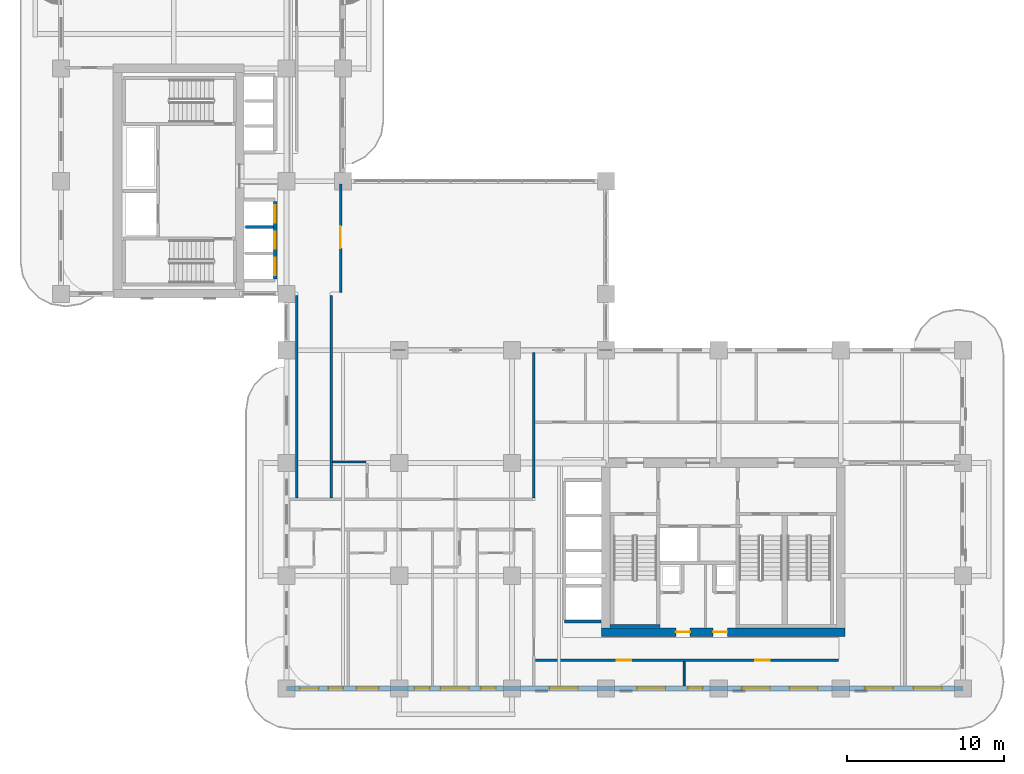
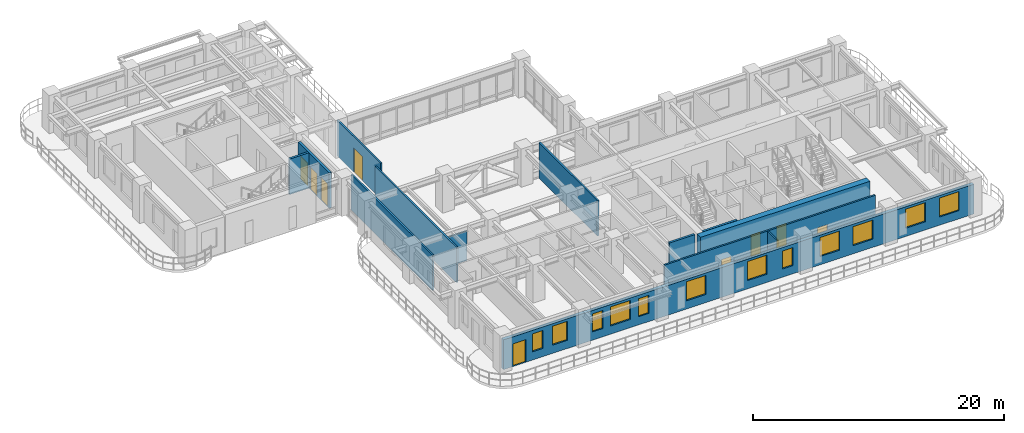
# One storey, part 12 of 21: 13 walls, 12 windows, 9 doors, 21 openings.
"""IFC4 building model written with IfcOpenShell, lengths in metres."""

from ifc_helpers import new_model, si_unit, derived_unit, direction, frame, frame_2d, origin, place, context, subcontext, project, spatial, rectangle, extrude, source, transform, mapped, material, layer, layer_set, type_object, type_shapes, element, fill, save


model = new_model("IFC4")

# Units and contexts
model_context = context("Model", 3, precision=1e-05, world=origin(), true_north=direction((0.0, 1.0)))
body_context = subcontext(model_context, "Body", "Model", "MODEL_VIEW")
ifc_project = project(units=[si_unit("LENGTHUNIT", "METRE"), si_unit("AREAUNIT", "SQUARE_METRE"), si_unit("VOLUMEUNIT", "CUBIC_METRE"), si_unit("PLANEANGLEUNIT", "RADIAN"), si_unit("MASSUNIT", "GRAM", prefix="KILO"), si_unit("THERMODYNAMICTEMPERATUREUNIT", "KELVIN"), si_unit("POWERUNIT", "WATT"), derived_unit("THERMALTRANSMITTANCEUNIT", [(si_unit("POWERUNIT", "WATT"), 1), (si_unit("AREAUNIT", "SQUARE_METRE"), -1), (si_unit("THERMODYNAMICTEMPERATUREUNIT", "KELVIN"), -1)])], contexts=[model_context])

# Site, building, storey
site_placement = place(None, origin())
site = spatial("IfcSite", under=ifc_project, at=site_placement, CompositionType="ELEMENT")
building_placement = place(site_placement, origin())
building = spatial("IfcBuilding", under=site, at=building_placement, Name="Zahravan Archway Hotel and Residences", CompositionType="ELEMENT")
storey_placement = place(building_placement, frame((0.0, 0.0, 69.39990234375)))
storey = spatial("IfcBuildingStorey", under=building, at=storey_placement, Name="L16", CompositionType="ELEMENT", Elevation=69.39990234375)

# Wall, openings, doors
ifc_material_1 = material(Name="Concrete C70/85", Category="concrete")
ifc_layer_1 = layer(ifc_material_1, 0.550048828125, Name="Concrete C70/85", Category="concrete")
ifc_layer_set_1 = layer_set([ifc_layer_1], Name="Concrete C70/85")
wall_type_1 = type_object("IfcWallType", Name="CW-CORE-550", PredefinedType="SHEAR", material=ifc_layer_set_1)
wall_1_placement = place(storey_placement, frame((34.52490234375, 3.60009765625, 0.0), z_axis=(0.0, 0.0, 1.0), x_axis=(1.0, 0.0, 0.0)))
wall_1 = element("IfcWall", 1, at=wall_1_placement, inside=storey, type_object=wall_type_1, Name="L16 Core A Shear S Wall 550 mm", PredefinedType="SHEAR", context=body_context, shape_type="SweptSolid", body=[
    extrude(rectangle(XDim=15.550048828125, YDim=0.550048828125, at=frame_2d((7.77490234375, 0.0))), origin(), (0.0, 0.0, 1.0), 3.7001953125),
])
opening_1_placement = place(wall_1_placement, frame((4.7451171875, 0.0, 0.0)))
opening_1 = element("IfcOpeningElement", 2, at=opening_1_placement, cuts=wall_1, Name="Opening FD-R1", PredefinedType="OPENING", context=body_context, shape_type="SweptSolid", body=[
    extrude(rectangle(XDim=0.89990234375, YDim=2.10009765625, at=frame_2d((0.449951171875, 1.050048828125))), frame((0.0, 0.28515625, 0.0), z_axis=(0.0, -1.0, 0.0), x_axis=(1.0, 0.0, 0.0)), (0.0, 0.0, 1.0), 0.570068359375),
])
opening_2_placement = place(wall_1_placement, frame((7.125, 0.0, 0.0)))
opening_2 = element("IfcOpeningElement", 3, at=opening_2_placement, cuts=wall_1, Name="Opening FD-R1", PredefinedType="OPENING", context=body_context, shape_type="SweptSolid", body=[
    extrude(rectangle(XDim=0.89990234375, YDim=2.10009765625, at=frame_2d((0.449951171875, 1.050048828125))), frame((0.0, 0.28515625, 0.0), z_axis=(0.0, -1.0, 0.0), x_axis=(1.0, 0.0, 0.0)), (0.0, 0.0, 1.0), 0.570068359375),
])
ifc_material_2 = material(Name="Fire-Rated Painted Steel", Category="steel")
door_type_1 = type_object("IfcDoorType", Name="FD-RISER-900", OperationType="NOTDEFINED", PredefinedType="DOOR", material=ifc_material_2)
shared_shape_1 = source(origin(), body_context, "Body", "SweptSolid", [
    extrude(rectangle(XDim=0.89990234375, YDim=2.10009765625, at=frame_2d((0.449951171875, 1.050048828125))), frame((0.0, 0.02490234375, 0.0), z_axis=(0.0, -1.0, 0.0), x_axis=(1.0, 0.0, 0.0)), (0.0, 0.0, 1.0), 0.050048828125),
])
type_shapes(door_type_1, [shared_shape_1])
door_1_placement = place(opening_1_placement, origin())
door_1 = element("IfcDoor", 4, at=door_1_placement, inside=storey, type_object=door_type_1, Name="L16 Fan Room Door", OperationType="SINGLE_SWING_RIGHT", OverallHeight=2.10009765625, OverallWidth=0.89990234375, PredefinedType="DOOR", context=body_context, shape_type="MappedRepresentation", body=[
    mapped(shared_shape_1, transform((0.0, 0.0, 0.0), scale=1.0)),
])
fill(opening_1, door_1)
door_2_placement = place(opening_2_placement, origin())
door_2 = element("IfcDoor", 5, at=door_2_placement, inside=storey, type_object=door_type_1, Name="L16 Sub-Meter Cupboard Door", OperationType="SINGLE_SWING_LEFT", OverallHeight=2.10009765625, OverallWidth=0.89990234375, PredefinedType="DOOR", context=body_context, shape_type="MappedRepresentation", body=[
    mapped(shared_shape_1, transform((0.0, 0.0, 0.0), scale=1.0)),
])
fill(opening_2, door_2)

# Wall, openings, door, windows
ifc_material_3 = material(Name="Agra Buff Sandstone & Insulated Backup", Category="masonry")
ifc_layer_2 = layer(ifc_material_3, 0.320068359375, Name="Agra Buff Sandstone & Insulated Backup", Category="masonry")
ifc_layer_set_2 = layer_set([ifc_layer_2], Name="Agra Buff Sandstone & Insulated Backup")
wall_type_2 = type_object("IfcWallType", Name="EW-SAND-320", PredefinedType="SOLIDWALL", material=ifc_layer_set_2)
wall_2_placement = place(storey_placement, frame((14.39990234375, 0.0, 0.0), z_axis=(0.0, 0.0, 1.0), x_axis=(1.0, 0.0, 0.0)))
wall_2 = element("IfcWall", 6, at=wall_2_placement, inside=storey, type_object=wall_type_2, Name="L16 Exterior Sandstone Wall WA-S", PredefinedType="SOLIDWALL", context=body_context, shape_type="SweptSolid", body=[
    extrude(rectangle(XDim=43.2001953125, YDim=0.320068359375, at=frame_2d((21.60009765625, 0.0))), origin(), (0.0, 0.0, 1.0), 2.885009765625),
])
opening_3_placement = place(wall_2_placement, frame((0.85009765625, 0.0, 0.0)))
opening_3 = element("IfcOpeningElement", 7, at=opening_3_placement, cuts=wall_2, Name="Opening ED-BL1", PredefinedType="OPENING", context=body_context, shape_type="SweptSolid", body=[
    extrude(rectangle(XDim=1.199951171875, YDim=2.199951171875, at=frame_2d((0.60009765625, 1.10009765625))), frame((0.0, 0.169921875, 0.0), z_axis=(0.0, -1.0, 0.0), x_axis=(1.0, 0.0, 0.0)), (0.0, 0.0, 1.0), 0.340087890625),
])
opening_4_placement = place(wall_2_placement, frame((2.6708984375, 0.0, 0.800048828125)))
opening_4 = element("IfcOpeningElement", 8, at=opening_4_placement, cuts=wall_2, Name="Opening W-04", PredefinedType="OPENING", context=body_context, shape_type="SweptSolid", body=[
    extrude(rectangle(XDim=0.949951171875, YDim=1.75, at=frame_2d((0.47509765625, 0.875))), frame((0.0, 0.169921875, 0.0), z_axis=(0.0, -1.0, 0.0), x_axis=(1.0, 0.0, 0.0)), (0.0, 0.0, 1.0), 0.340087890625),
])
opening_5_placement = place(wall_2_placement, frame((4.47900390625, 0.0, 0.800048828125)))
opening_5 = element("IfcOpeningElement", 9, at=opening_5_placement, cuts=wall_2, Name="Opening W-03", PredefinedType="OPENING", context=body_context, shape_type="SweptSolid", body=[
    extrude(rectangle(XDim=1.39990234375, YDim=1.85009765625, at=frame_2d((0.699951171875, 0.925048828125))), frame((0.0, 0.169921875, 0.0), z_axis=(0.0, -1.0, 0.0), x_axis=(1.0, 0.0, 0.0)), (0.0, 0.0, 1.0), 0.340087890625),
])
opening_6_placement = place(wall_2_placement, frame((8.180908203125, 0.0, 0.800048828125)))
opening_6 = element("IfcOpeningElement", 10, at=opening_6_placement, cuts=wall_2, Name="Opening W-04", PredefinedType="OPENING", context=body_context, shape_type="SweptSolid", body=[
    extrude(rectangle(XDim=0.949951171875, YDim=1.75, at=frame_2d((0.47509765625, 0.875))), frame((0.0, 0.169921875, 0.0), z_axis=(0.0, -1.0, 0.0), x_axis=(1.0, 0.0, 0.0)), (0.0, 0.0, 1.0), 0.340087890625),
])
opening_7_placement = place(wall_2_placement, frame((9.844970703125, 0.0, 0.800048828125)))
opening_7 = element("IfcOpeningElement", 11, at=opening_7_placement, cuts=wall_2, Name="Opening W-02", PredefinedType="OPENING", context=body_context, shape_type="SweptSolid", body=[
    extrude(rectangle(XDim=1.800048828125, YDim=1.85009765625, at=frame_2d((0.89990234375, 0.925048828125))), frame((0.0, 0.169921875, 0.0), z_axis=(0.0, -1.0, 0.0), x_axis=(1.0, 0.0, 0.0)), (0.0, 0.0, 1.0), 0.340087890625),
])
opening_8_placement = place(wall_2_placement, frame((12.4140625, 0.0, 0.800048828125)))
opening_8 = element("IfcOpeningElement", 12, at=opening_8_placement, cuts=wall_2, Name="Opening W-04", PredefinedType="OPENING", context=body_context, shape_type="SweptSolid", body=[
    extrude(rectangle(XDim=0.949951171875, YDim=1.75, at=frame_2d((0.47509765625, 0.875))), frame((0.0, 0.169921875, 0.0), z_axis=(0.0, -1.0, 0.0), x_axis=(1.0, 0.0, 0.0)), (0.0, 0.0, 1.0), 0.340087890625),
])
opening_9_placement = place(wall_2_placement, frame((16.803955078125, 0.0, 0.800048828125)))
opening_9 = element("IfcOpeningElement", 13, at=opening_9_placement, cuts=wall_2, Name="Opening W-02", PredefinedType="OPENING", context=body_context, shape_type="SweptSolid", body=[
    extrude(rectangle(XDim=1.800048828125, YDim=1.85009765625, at=frame_2d((0.89990234375, 0.925048828125))), frame((0.0, 0.169921875, 0.0), z_axis=(0.0, -1.0, 0.0), x_axis=(1.0, 0.0, 0.0)), (0.0, 0.0, 1.0), 0.340087890625),
])
opening_10_placement = place(wall_2_placement, frame((22.39599609375, 0.0, 0.800048828125)))
opening_10 = element("IfcOpeningElement", 14, at=opening_10_placement, cuts=wall_2, Name="Opening W-02", PredefinedType="OPENING", context=body_context, shape_type="SweptSolid", body=[
    extrude(rectangle(XDim=1.800048828125, YDim=1.85009765625, at=frame_2d((0.89990234375, 0.925048828125))), frame((0.0, 0.169921875, 0.0), z_axis=(0.0, -1.0, 0.0), x_axis=(1.0, 0.0, 0.0)), (0.0, 0.0, 1.0), 0.340087890625),
])
opening_11_placement = place(wall_2_placement, frame((25.62890625, 0.0, 0.800048828125)))
opening_11 = element("IfcOpeningElement", 15, at=opening_11_placement, cuts=wall_2, Name="Opening W-04", PredefinedType="OPENING", context=body_context, shape_type="SweptSolid", body=[
    extrude(rectangle(XDim=0.949951171875, YDim=1.75, at=frame_2d((0.47509765625, 0.875))), frame((0.0, 0.169921875, 0.0), z_axis=(0.0, -1.0, 0.0), x_axis=(1.0, 0.0, 0.0)), (0.0, 0.0, 1.0), 0.340087890625),
])
opening_12_placement = place(wall_2_placement, frame((29.074951171875, 0.0, 0.800048828125)))
opening_12 = element("IfcOpeningElement", 16, at=opening_12_placement, cuts=wall_2, Name="Opening W-02", PredefinedType="OPENING", context=body_context, shape_type="SweptSolid", body=[
    extrude(rectangle(XDim=1.800048828125, YDim=1.85009765625, at=frame_2d((0.89990234375, 0.925048828125))), frame((0.0, 0.169921875, 0.0), z_axis=(0.0, -1.0, 0.0), x_axis=(1.0, 0.0, 0.0)), (0.0, 0.0, 1.0), 0.340087890625),
])
opening_13_placement = place(wall_2_placement, frame((32.125, 0.0, 0.800048828125)))
opening_13 = element("IfcOpeningElement", 17, at=opening_13_placement, cuts=wall_2, Name="Opening W-02", PredefinedType="OPENING", context=body_context, shape_type="SweptSolid", body=[
    extrude(rectangle(XDim=1.800048828125, YDim=1.85009765625, at=frame_2d((0.89990234375, 0.925048828125))), frame((0.0, 0.169921875, 0.0), z_axis=(0.0, -1.0, 0.0), x_axis=(1.0, 0.0, 0.0)), (0.0, 0.0, 1.0), 0.340087890625),
])
opening_14_placement = place(wall_2_placement, frame((36.946044921875, 0.0, 0.800048828125)))
opening_14 = element("IfcOpeningElement", 18, at=opening_14_placement, cuts=wall_2, Name="Opening W-02", PredefinedType="OPENING", context=body_context, shape_type="SweptSolid", body=[
    extrude(rectangle(XDim=1.800048828125, YDim=1.85009765625, at=frame_2d((0.89990234375, 0.925048828125))), frame((0.0, 0.169921875, 0.0), z_axis=(0.0, -1.0, 0.0), x_axis=(1.0, 0.0, 0.0)), (0.0, 0.0, 1.0), 0.340087890625),
])
opening_15_placement = place(wall_2_placement, frame((40.053955078125, 0.0, 0.800048828125)))
opening_15 = element("IfcOpeningElement", 19, at=opening_15_placement, cuts=wall_2, Name="Opening W-02", PredefinedType="OPENING", context=body_context, shape_type="SweptSolid", body=[
    extrude(rectangle(XDim=1.800048828125, YDim=1.85009765625, at=frame_2d((0.89990234375, 0.925048828125))), frame((0.0, 0.169921875, 0.0), z_axis=(0.0, -1.0, 0.0), x_axis=(1.0, 0.0, 0.0)), (0.0, 0.0, 1.0), 0.340087890625),
])
ifc_material_4 = material(Name="Bronze-Anodized Glazed Aluminium", Category="aluminium")
door_type_2 = type_object("IfcDoorType", Name="ED-BALC-1200", OperationType="SLIDING_TO_LEFT", PredefinedType="DOOR", material=ifc_material_4)
shared_shape_2 = source(origin(), body_context, "Body", "SweptSolid", [
    extrude(rectangle(XDim=1.199951171875, YDim=2.199951171875, at=frame_2d((0.60009765625, 1.10009765625))), frame((0.0, 0.02490234375, 0.0), z_axis=(0.0, -1.0, 0.0), x_axis=(1.0, 0.0, 0.0)), (0.0, 0.0, 1.0), 0.050048828125),
])
type_shapes(door_type_2, [shared_shape_2])
door_3_placement = place(opening_3_placement, origin())
door_3 = element("IfcDoor", 20, at=door_3_placement, inside=storey, type_object=door_type_2, Name="L16 Outdoor Access Sliding Door (SLB-BAL-L16-SA)", OperationType="SLIDING_TO_LEFT", OverallHeight=2.199951171875, OverallWidth=1.199951171875, PredefinedType="DOOR", context=body_context, shape_type="MappedRepresentation", body=[
    mapped(shared_shape_2, transform((0.0, 0.0, 0.0), scale=1.0)),
])
fill(opening_3, door_3)
ifc_material_5 = material(Name="Bronze-Anodized Thermal-Break Aluminium & Low-E Glass", Category="aluminium")
window_type_1 = type_object("IfcWindowType", Name="WIN-TWR-1400", PartitioningType="SINGLE_PANEL", PredefinedType="WINDOW", material=ifc_material_5)
shared_shape_3 = source(origin(), body_context, "Body", "SweptSolid", [
    extrude(rectangle(XDim=1.39990234375, YDim=1.85009765625, at=frame_2d((0.699951171875, 0.925048828125))), frame((0.0, 0.030029296875, 0.0), z_axis=(0.0, -1.0, 0.0), x_axis=(1.0, 0.0, 0.0)), (0.0, 0.0, 1.0), 0.06005859375),
])
type_shapes(window_type_1, [shared_shape_3])
window_1_placement = place(opening_5_placement, origin())
window_1 = element("IfcWindow", 21, at=window_1_placement, inside=storey, type_object=window_type_1, Name="L16 Loggia Window 02", OverallHeight=1.85009765625, OverallWidth=1.39990234375, PartitioningType="SINGLE_PANEL", PredefinedType="WINDOW", context=body_context, shape_type="MappedRepresentation", body=[
    mapped(shared_shape_3, transform((0.0, 0.0, 0.0), scale=1.0)),
])
fill(opening_5, window_1)
window_type_2 = type_object("IfcWindowType", Name="WIN-NAR-950", PartitioningType="SINGLE_PANEL", PredefinedType="WINDOW", material=ifc_material_5)
shared_shape_4 = source(origin(), body_context, "Body", "SweptSolid", [
    extrude(rectangle(XDim=0.949951171875, YDim=1.75, at=frame_2d((0.47509765625, 0.875))), frame((0.0, 0.030029296875, 0.0), z_axis=(0.0, -1.0, 0.0), x_axis=(1.0, 0.0, 0.0)), (0.0, 0.0, 1.0), 0.06005859375),
])
type_shapes(window_type_2, [shared_shape_4])
window_2_placement = place(opening_4_placement, origin())
window_2 = element("IfcWindow", 22, at=window_2_placement, inside=storey, type_object=window_type_2, Name="L16 Loggia Window 01", OverallHeight=1.75, OverallWidth=0.949951171875, PartitioningType="SINGLE_PANEL", PredefinedType="WINDOW", context=body_context, shape_type="MappedRepresentation", body=[
    mapped(shared_shape_4, transform((0.0, 0.0, 0.0), scale=1.0)),
])
fill(opening_4, window_2)
window_3_placement = place(opening_6_placement, origin())
window_3 = element("IfcWindow", 23, at=window_3_placement, inside=storey, type_object=window_type_2, Name="L16 Loggia Window 03", OverallHeight=1.75, OverallWidth=0.949951171875, PartitioningType="SINGLE_PANEL", PredefinedType="WINDOW", context=body_context, shape_type="MappedRepresentation", body=[
    mapped(shared_shape_4, transform((0.0, 0.0, 0.0), scale=1.0)),
])
fill(opening_6, window_3)
window_4_placement = place(opening_8_placement, origin())
window_4 = element("IfcWindow", 24, at=window_4_placement, inside=storey, type_object=window_type_2, Name="L16 Loggia Window 05", OverallHeight=1.75, OverallWidth=0.949951171875, PartitioningType="SINGLE_PANEL", PredefinedType="WINDOW", context=body_context, shape_type="MappedRepresentation", body=[
    mapped(shared_shape_4, transform((0.0, 0.0, 0.0), scale=1.0)),
])
fill(opening_8, window_4)
window_5_placement = place(opening_11_placement, origin())
window_5 = element("IfcWindow", 25, at=window_5_placement, inside=storey, type_object=window_type_2, Name="L16 Loggia Window 08", OverallHeight=1.75, OverallWidth=0.949951171875, PartitioningType="SINGLE_PANEL", PredefinedType="WINDOW", context=body_context, shape_type="MappedRepresentation", body=[
    mapped(shared_shape_4, transform((0.0, 0.0, 0.0), scale=1.0)),
])
fill(opening_11, window_5)
window_type_3 = type_object("IfcWindowType", Name="WIN-TWR-1800", PartitioningType="DOUBLE_PANEL_VERTICAL", PredefinedType="WINDOW", material=ifc_material_5)
shared_shape_5 = source(origin(), body_context, "Body", "SweptSolid", [
    extrude(rectangle(XDim=1.800048828125, YDim=1.85009765625, at=frame_2d((0.89990234375, 0.925048828125))), frame((0.0, 0.030029296875, 0.0), z_axis=(0.0, -1.0, 0.0), x_axis=(1.0, 0.0, 0.0)), (0.0, 0.0, 1.0), 0.06005859375),
])
type_shapes(window_type_3, [shared_shape_5])
window_6_placement = place(opening_7_placement, origin())
window_6 = element("IfcWindow", 26, at=window_6_placement, inside=storey, type_object=window_type_3, Name="L16 Loggia Window 04", OverallHeight=1.85009765625, OverallWidth=1.800048828125, PartitioningType="DOUBLE_PANEL_VERTICAL", PredefinedType="WINDOW", context=body_context, shape_type="MappedRepresentation", body=[
    mapped(shared_shape_5, transform((0.0, 0.0, 0.0), scale=1.0)),
])
fill(opening_7, window_6)
window_7_placement = place(opening_9_placement, origin())
window_7 = element("IfcWindow", 27, at=window_7_placement, inside=storey, type_object=window_type_3, Name="L16 Loggia Window 06", OverallHeight=1.85009765625, OverallWidth=1.800048828125, PartitioningType="DOUBLE_PANEL_VERTICAL", PredefinedType="WINDOW", context=body_context, shape_type="MappedRepresentation", body=[
    mapped(shared_shape_5, transform((0.0, 0.0, 0.0), scale=1.0)),
])
fill(opening_9, window_7)
window_8_placement = place(opening_10_placement, origin())
window_8 = element("IfcWindow", 28, at=window_8_placement, inside=storey, type_object=window_type_3, Name="L16 Loggia Window 07", OverallHeight=1.85009765625, OverallWidth=1.800048828125, PartitioningType="DOUBLE_PANEL_VERTICAL", PredefinedType="WINDOW", context=body_context, shape_type="MappedRepresentation", body=[
    mapped(shared_shape_5, transform((0.0, 0.0, 0.0), scale=1.0)),
])
fill(opening_10, window_8)
window_9_placement = place(opening_12_placement, origin())
window_9 = element("IfcWindow", 29, at=window_9_placement, inside=storey, type_object=window_type_3, Name="L16 Loggia Window 09", OverallHeight=1.85009765625, OverallWidth=1.800048828125, PartitioningType="DOUBLE_PANEL_VERTICAL", PredefinedType="WINDOW", context=body_context, shape_type="MappedRepresentation", body=[
    mapped(shared_shape_5, transform((0.0, 0.0, 0.0), scale=1.0)),
])
fill(opening_12, window_9)
window_10_placement = place(opening_13_placement, origin())
window_10 = element("IfcWindow", 30, at=window_10_placement, inside=storey, type_object=window_type_3, Name="L16 Loggia Window 10", OverallHeight=1.85009765625, OverallWidth=1.800048828125, PartitioningType="DOUBLE_PANEL_VERTICAL", PredefinedType="WINDOW", context=body_context, shape_type="MappedRepresentation", body=[
    mapped(shared_shape_5, transform((0.0, 0.0, 0.0), scale=1.0)),
])
fill(opening_13, window_10)
window_11_placement = place(opening_14_placement, origin())
window_11 = element("IfcWindow", 31, at=window_11_placement, inside=storey, type_object=window_type_3, Name="L16 Loggia Window 11", OverallHeight=1.85009765625, OverallWidth=1.800048828125, PartitioningType="DOUBLE_PANEL_VERTICAL", PredefinedType="WINDOW", context=body_context, shape_type="MappedRepresentation", body=[
    mapped(shared_shape_5, transform((0.0, 0.0, 0.0), scale=1.0)),
])
fill(opening_14, window_11)
window_12_placement = place(opening_15_placement, origin())
window_12 = element("IfcWindow", 32, at=window_12_placement, inside=storey, type_object=window_type_3, Name="L16 Loggia Window 12", OverallHeight=1.85009765625, OverallWidth=1.800048828125, PartitioningType="DOUBLE_PANEL_VERTICAL", PredefinedType="WINDOW", context=body_context, shape_type="MappedRepresentation", body=[
    mapped(shared_shape_5, transform((0.0, 0.0, 0.0), scale=1.0)),
])
fill(opening_15, window_12)

# Wall
ifc_material_6 = material(Name="Fire-Rated Gypsum & Concrete Block", Category="concrete")
ifc_layer_3 = layer(ifc_material_6, 0.159912109375, Name="Fire-Rated Gypsum & Concrete Block", Category="concrete")
ifc_layer_set_3 = layer_set([ifc_layer_3], Name="Fire-Rated Gypsum & Concrete Block")
wall_type_3 = type_object("IfcWallType", Name="PW-CORR-160", PredefinedType="PARTITIONING", material=ifc_layer_set_3)
wall_3_placement = place(storey_placement, frame((30.199951171875, 12.159912109375, 0.0), z_axis=(0.0, 0.0, 1.0), x_axis=(0.0, 1.0, 0.0)))
element("IfcWall", 33, at=wall_3_placement, inside=storey, type_object=wall_type_3, Name="L16 Partition WA-FW", PredefinedType="PARTITIONING", context=body_context, shape_type="SweptSolid", body=[
    extrude(rectangle(XDim=9.300048828125, YDim=0.159912109375, at=frame_2d((4.64990234375, 0.0))), origin(), (0.0, 0.0, 1.0), 3.4501953125),
])

# Wall, openings, doors
wall_4_placement = place(storey_placement, frame((30.2900390625, 1.800048828125, 0.0), z_axis=(0.0, 0.0, 1.0), x_axis=(1.0, 0.0, 0.0)))
wall_4 = element("IfcWall", 34, at=wall_4_placement, inside=storey, type_object=wall_type_3, Name="L16 Partition WA-SRS", PredefinedType="PARTITIONING", context=body_context, shape_type="SweptSolid", body=[
    extrude(rectangle(XDim=19.369873046875, YDim=0.159912109375, at=frame_2d((9.68505859375, 0.0))), origin(), (0.0, 0.0, 1.0), 3.4501953125),
])
opening_16_placement = place(wall_4_placement, frame((5.213134765625, 0.0, 0.0)))
opening_16 = element("IfcOpeningElement", 35, at=opening_16_placement, cuts=wall_4, Name="Opening D-I2", PredefinedType="OPENING", context=body_context, shape_type="SweptSolid", body=[
    extrude(rectangle(XDim=0.89990234375, YDim=2.14990234375, at=frame_2d((0.449951171875, 1.074951171875))), frame((0.0, 0.08984375, 0.0), z_axis=(0.0, -1.0, 0.0), x_axis=(1.0, 0.0, 0.0)), (0.0, 0.0, 1.0), 0.179931640625),
])
opening_17_placement = place(wall_4_placement, frame((14.06005859375, 0.0, 0.0)))
opening_17 = element("IfcOpeningElement", 36, at=opening_17_placement, cuts=wall_4, Name="Opening D-I2", PredefinedType="OPENING", context=body_context, shape_type="SweptSolid", body=[
    extrude(rectangle(XDim=0.89990234375, YDim=2.14990234375, at=frame_2d((0.449951171875, 1.074951171875))), frame((0.0, 0.08984375, 0.0), z_axis=(0.0, -1.0, 0.0), x_axis=(1.0, 0.0, 0.0)), (0.0, 0.0, 1.0), 0.179931640625),
])
ifc_material_7 = material(Name="Hardwood Veneer Timber", Category="wood")
door_type_3 = type_object("IfcDoorType", Name="ID-INT-900", OperationType="NOTDEFINED", PredefinedType="DOOR", material=ifc_material_7)
shared_shape_6 = source(origin(), body_context, "Body", "SweptSolid", [
    extrude(rectangle(XDim=0.89990234375, YDim=2.14990234375, at=frame_2d((0.449951171875, 1.074951171875))), frame((0.0, 0.02490234375, 0.0), z_axis=(0.0, -1.0, 0.0), x_axis=(1.0, 0.0, 0.0)), (0.0, 0.0, 1.0), 0.050048828125),
])
type_shapes(door_type_3, [shared_shape_6])
door_4_placement = place(opening_16_placement, origin())
door_4 = element("IfcDoor", 37, at=door_4_placement, inside=storey, type_object=door_type_3, Name="L16 South Study Door", OperationType="SINGLE_SWING_RIGHT", OverallHeight=2.14990234375, OverallWidth=0.89990234375, PredefinedType="DOOR", context=body_context, shape_type="MappedRepresentation", body=[
    mapped(shared_shape_6, transform((0.0, 0.0, 0.0), scale=1.0)),
])
fill(opening_16, door_4)
door_5_placement = place(opening_17_placement, origin())
door_5 = element("IfcDoor", 38, at=door_5_placement, inside=storey, type_object=door_type_3, Name="L16 South Pantry Door", OperationType="SINGLE_SWING_LEFT", OverallHeight=2.14990234375, OverallWidth=0.89990234375, PredefinedType="DOOR", context=body_context, shape_type="MappedRepresentation", body=[
    mapped(shared_shape_6, transform((0.0, 0.0, 0.0), scale=1.0)),
])
fill(opening_17, door_5)

# Walls
for number, where, z_axis, x_axis, name in (
    (39, (15.050048828125, 12.159912109375, 0.0), (0.0, 0.0, 1.0), (0.0, 1.0, 0.0), "L16 Partition LNK-W"),
    (40, (17.25, 12.159912109375, 0.0), (0.0, 0.0, 1.0), (0.0, 1.0, 0.0), "L16 Partition LNK-E"),
):
    element("IfcWall", number, at=place(storey_placement, frame(where, z_axis=z_axis, x_axis=x_axis)), inside=storey, type_object=wall_type_3, Name=name, PredefinedType="PARTITIONING", context=body_context, shape_type="SweptSolid", body=[
        extrude(rectangle(XDim=12.9501953125, YDim=0.159912109375, at=frame_2d((6.47509765625, 0.0))), origin(), (0.0, 0.0, 1.0), 3.4501953125),
    ])

# Wall, opening, door
wall_5_placement = place(storey_placement, frame((17.85009765625, 25.2900390625, 0.0), z_axis=(0.0, 0.0, 1.0), x_axis=(0.0, 1.0, 0.0)))
wall_5 = element("IfcWall", 41, at=wall_5_placement, inside=storey, type_object=wall_type_3, Name="L16 Partition SBG-W", PredefinedType="PARTITIONING", context=body_context, shape_type="SweptSolid", body=[
    extrude(rectangle(XDim=6.919921875, YDim=0.159912109375, at=frame_2d((3.4599609375, 0.0))), origin(), (0.0, 0.0, 1.0), 3.4501953125),
])
opening_18_placement = place(wall_5_placement, frame((2.8349609375, 0.0, 0.0)))
opening_18 = element("IfcOpeningElement", 42, at=opening_18_placement, cuts=wall_5, Name="Opening D-P1", PredefinedType="OPENING", context=body_context, shape_type="SweptSolid", body=[
    extrude(rectangle(XDim=1.39990234375, YDim=2.35009765625, at=frame_2d((0.699951171875, 1.175048828125))), frame((0.0, 0.08984375, 0.0), z_axis=(0.0, -1.0, 0.0), x_axis=(1.0, 0.0, 0.0)), (0.0, 0.0, 1.0), 0.179931640625),
])
door_type_4 = type_object("IfcDoorType", Name="ID-PUBLIC-1400", OperationType="DOUBLE_DOOR_SINGLE_SWING", PredefinedType="DOOR", material=ifc_material_4)
shared_shape_7 = source(origin(), body_context, "Body", "SweptSolid", [
    extrude(rectangle(XDim=1.39990234375, YDim=2.35009765625, at=frame_2d((0.699951171875, 1.175048828125))), frame((0.0, 0.02490234375, 0.0), z_axis=(0.0, -1.0, 0.0), x_axis=(1.0, 0.0, 0.0)), (0.0, 0.0, 1.0), 0.050048828125),
])
type_shapes(door_type_4, [shared_shape_7])
door_6_placement = place(opening_18_placement, origin())
door_6 = element("IfcDoor", 43, at=door_6_placement, inside=storey, type_object=door_type_4, Name="L16 Sky-Bridge Salon Door", OperationType="DOUBLE_DOOR_SINGLE_SWING", OverallHeight=2.35009765625, OverallWidth=1.39990234375, PredefinedType="DOOR", context=body_context, shape_type="MappedRepresentation", body=[
    mapped(shared_shape_7, transform((0.0, 0.0, 0.0), scale=1.0)),
])
fill(opening_18, door_6)

# Walls
ifc_material_8 = material(Name="Acoustic Stud Partition")
ifc_layer_4 = layer(ifc_material_8, 0.125, Name="Acoustic Stud Partition")
ifc_layer_set_4 = layer_set([ifc_layer_4], Name="Acoustic Stud Partition")
wall_type_4 = type_object("IfcWallType", Name="PW-INT-125", PredefinedType="PARTITIONING", material=ifc_layer_set_4)
wall_6_placement = place(storey_placement, frame((39.800048828125, 0.16796875, 0.0), z_axis=(0.0, 0.0, 1.0), x_axis=(0.0, 1.0, 0.0)))
element("IfcWall", 44, at=wall_6_placement, inside=storey, type_object=wall_type_4, Name="L16 Partition S-DIV1", PredefinedType="PARTITIONING", context=body_context, shape_type="SweptSolid", body=[
    extrude(rectangle(XDim=1.5419921875, YDim=0.125, at=frame_2d((0.77099609375, 0.0))), origin(), (0.0, 0.0, 1.0), 3.4501953125),
])
ifc_layer_5 = layer(ifc_material_6, 0.199951171875, Name="Fire-Rated Gypsum & Concrete Block", Category="concrete")
ifc_layer_set_5 = layer_set([ifc_layer_5], Name="Fire-Rated Gypsum & Concrete Block")
wall_type_5 = type_object("IfcWallType", Name="PW-SHAFT-200", PredefinedType="PARTITIONING", material=ifc_layer_set_5)
wall_7_placement = place(storey_placement, frame((32.159912109375, 4.280029296875, 0.0), z_axis=(0.0, 0.0, 1.0), x_axis=(1.0, 0.0, 0.0)))
element("IfcWall", 45, at=wall_7_placement, inside=storey, type_object=wall_type_5, Name="L16 Partition B3-S", PredefinedType="PARTITIONING", context=body_context, shape_type="SweptSolid", body=[
    extrude(rectangle(XDim=2.335205078125, YDim=0.199951171875, at=frame_2d((1.16748046875, 0.0))), origin(), (0.0, 0.0, 1.0), 3.4501953125),
])

# Wall, openings, doors
wall_8_placement = place(storey_placement, frame((13.679931640625, 26.159912109375, 0.0), z_axis=(0.0, 0.0, 1.0), x_axis=(0.0, 1.0, 0.0)))
wall_8 = element("IfcWall", 46, at=wall_8_placement, inside=storey, type_object=wall_type_5, Name="L16 Partition B1-E", PredefinedType="PARTITIONING", context=body_context, shape_type="SweptSolid", body=[
    extrude(rectangle(XDim=4.940185546875, YDim=0.199951171875, at=frame_2d((2.47021484375, 0.0))), origin(), (0.0, 0.0, 1.0), 3.4501953125),
])
opening_19_placement = place(wall_8_placement, frame((0.239990234375, 0.0, 0.0)))
opening_19 = element("IfcOpeningElement", 47, at=opening_19_placement, cuts=wall_8, Name="Opening LD", PredefinedType="OPENING", context=body_context, shape_type="SweptSolid", body=[
    extrude(rectangle(XDim=1.10009765625, YDim=2.199951171875, at=frame_2d((0.550048828125, 1.10009765625))), frame((0.0, 0.10986328125, 0.0), z_axis=(0.0, -1.0, 0.0), x_axis=(1.0, 0.0, 0.0)), (0.0, 0.0, 1.0), 0.219970703125),
])
opening_20_placement = place(wall_8_placement, frame((1.919921875, 0.0, 0.0)))
opening_20 = element("IfcOpeningElement", 48, at=opening_20_placement, cuts=wall_8, Name="Opening LD", PredefinedType="OPENING", context=body_context, shape_type="SweptSolid", body=[
    extrude(rectangle(XDim=1.10009765625, YDim=2.199951171875, at=frame_2d((0.550048828125, 1.10009765625))), frame((0.0, 0.10986328125, 0.0), z_axis=(0.0, -1.0, 0.0), x_axis=(1.0, 0.0, 0.0)), (0.0, 0.0, 1.0), 0.219970703125),
])
opening_21_placement = place(wall_8_placement, frame((3.60009765625, 0.0, 0.0)))
opening_21 = element("IfcOpeningElement", 49, at=opening_21_placement, cuts=wall_8, Name="Opening LD", PredefinedType="OPENING", context=body_context, shape_type="SweptSolid", body=[
    extrude(rectangle(XDim=1.10009765625, YDim=2.199951171875, at=frame_2d((0.550048828125, 1.10009765625))), frame((0.0, 0.10986328125, 0.0), z_axis=(0.0, -1.0, 0.0), x_axis=(1.0, 0.0, 0.0)), (0.0, 0.0, 1.0), 0.219970703125),
])
ifc_material_9 = material(Name="Brushed Stainless Steel", Category="steel")
door_type_5 = type_object("IfcDoorType", Name="DR-LIFT-LD", OperationType="SLIDING_TO_LEFT", PredefinedType="DOOR", material=ifc_material_9)
shared_shape_8 = source(origin(), body_context, "Body", "SweptSolid", [
    extrude(rectangle(XDim=1.10009765625, YDim=2.199951171875, at=frame_2d((0.550048828125, 1.10009765625))), frame((0.0, 0.02490234375, 0.0), z_axis=(0.0, -1.0, 0.0), x_axis=(1.0, 0.0, 0.0)), (0.0, 0.0, 1.0), 0.050048828125),
])
type_shapes(door_type_5, [shared_shape_8])
door_7_placement = place(opening_19_placement, origin())
door_7 = element("IfcDoor", 50, at=door_7_placement, inside=storey, type_object=door_type_5, Name="L16 Lift LP-1 Sliding Landing Door", OperationType="SLIDING_TO_LEFT", OverallHeight=2.199951171875, OverallWidth=1.10009765625, PredefinedType="DOOR", context=body_context, shape_type="MappedRepresentation", body=[
    mapped(shared_shape_8, transform((0.0, 0.0, 0.0), scale=1.0)),
])
fill(opening_19, door_7)
door_8_placement = place(opening_20_placement, origin())
door_8 = element("IfcDoor", 51, at=door_8_placement, inside=storey, type_object=door_type_5, Name="L16 Lift LP-2 Sliding Landing Door", OperationType="SLIDING_TO_LEFT", OverallHeight=2.199951171875, OverallWidth=1.10009765625, PredefinedType="DOOR", context=body_context, shape_type="MappedRepresentation", body=[
    mapped(shared_shape_8, transform((0.0, 0.0, 0.0), scale=1.0)),
])
fill(opening_20, door_8)
door_9_placement = place(opening_21_placement, origin())
door_9 = element("IfcDoor", 52, at=door_9_placement, inside=storey, type_object=door_type_5, Name="L16 Lift LP-3 Sliding Landing Door", OperationType="SLIDING_TO_LEFT", OverallHeight=2.199951171875, OverallWidth=1.10009765625, PredefinedType="DOOR", context=body_context, shape_type="MappedRepresentation", body=[
    mapped(shared_shape_8, transform((0.0, 0.0, 0.0), scale=1.0)),
])
fill(opening_21, door_9)

# Walls
wall_9_placement = place(storey_placement, frame((11.784912109375, 29.469970703125, 0.0), z_axis=(0.0, 0.0, 1.0), x_axis=(1.0, 0.0, 0.0)))
element("IfcWall", 53, at=wall_9_placement, inside=storey, type_object=wall_type_5, Name="L16 Partition B1-D", PredefinedType="PARTITIONING", context=body_context, shape_type="SweptSolid", body=[
    extrude(rectangle(XDim=1.78515625, YDim=0.199951171875, at=frame_2d((0.892578125, 0.0))), origin(), (0.0, 0.0, 1.0), 3.4501953125),
])
ifc_material_10 = material(Name="Moisture-Resistant Blockwork", Category="masonry")
ifc_layer_6 = layer(ifc_material_10, 0.139892578125, Name="Moisture-Resistant Blockwork", Category="masonry")
ifc_layer_set_6 = layer_set([ifc_layer_6], Name="Moisture-Resistant Blockwork")
wall_type_6 = type_object("IfcWallType", Name="PW-WET-140", PredefinedType="PARTITIONING", material=ifc_layer_set_6)
wall_10_placement = place(storey_placement, frame((17.340087890625, 14.469970703125, 0.0), z_axis=(0.0, 0.0, 1.0), x_axis=(1.0, 0.0, 0.0)))
element("IfcWall", 54, at=wall_10_placement, inside=storey, type_object=wall_type_6, Name="L16 Partition HKB-H55", PredefinedType="PARTITIONING", context=body_context, shape_type="SweptSolid", body=[
    extrude(rectangle(XDim=2.119873046875, YDim=0.139892578125, at=frame_2d((1.06005859375, 0.0))), origin(), (0.0, 0.0, 1.0), 2.885009765625),
])
ifc_material_11 = material(Name="Concrete C50/60", Category="concrete")
ifc_layer_7 = layer(ifc_material_11, 0.199951171875, Name="Concrete C50/60", Category="concrete")
ifc_layer_set_7 = layer_set([ifc_layer_7], Name="Concrete C50/60")
wall_type_7 = type_object("IfcWallType", Name="SW-STAIR-200", PredefinedType="SHEAR", material=ifc_layer_set_7)
wall_11_placement = place(storey_placement, frame((35.074951171875, 4.0, 0.0), z_axis=(0.0, 0.0, 1.0), x_axis=(1.0, 0.0, 0.0)))
element("IfcWall", 55, at=wall_11_placement, inside=storey, type_object=wall_type_7, Name="L16 Stairwell RC Wall CA-SA1S", PredefinedType="SHEAR", context=body_context, shape_type="SweptSolid", body=[
    extrude(rectangle(XDim=3.1650390625, YDim=0.199951171875, at=frame_2d((1.58251953125, 0.0))), origin(), (0.0, 0.0, 1.0), 3.7001953125),
])

save(model, "model.ifc")
